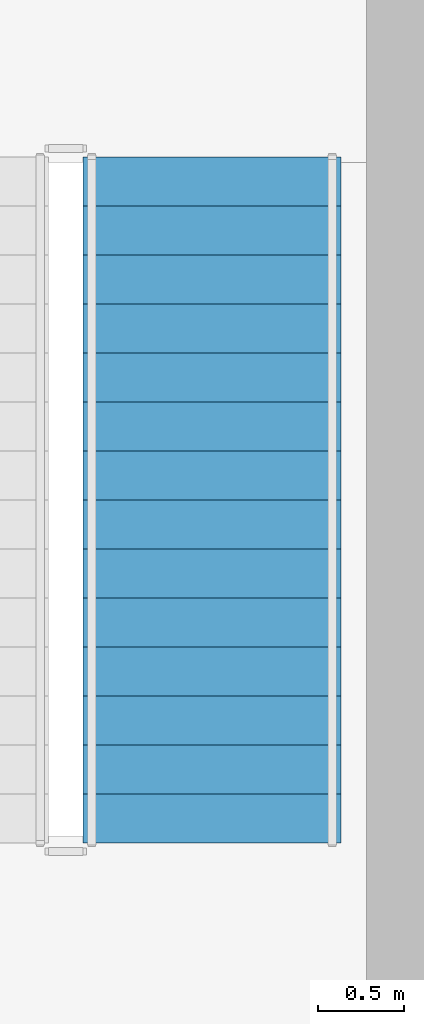
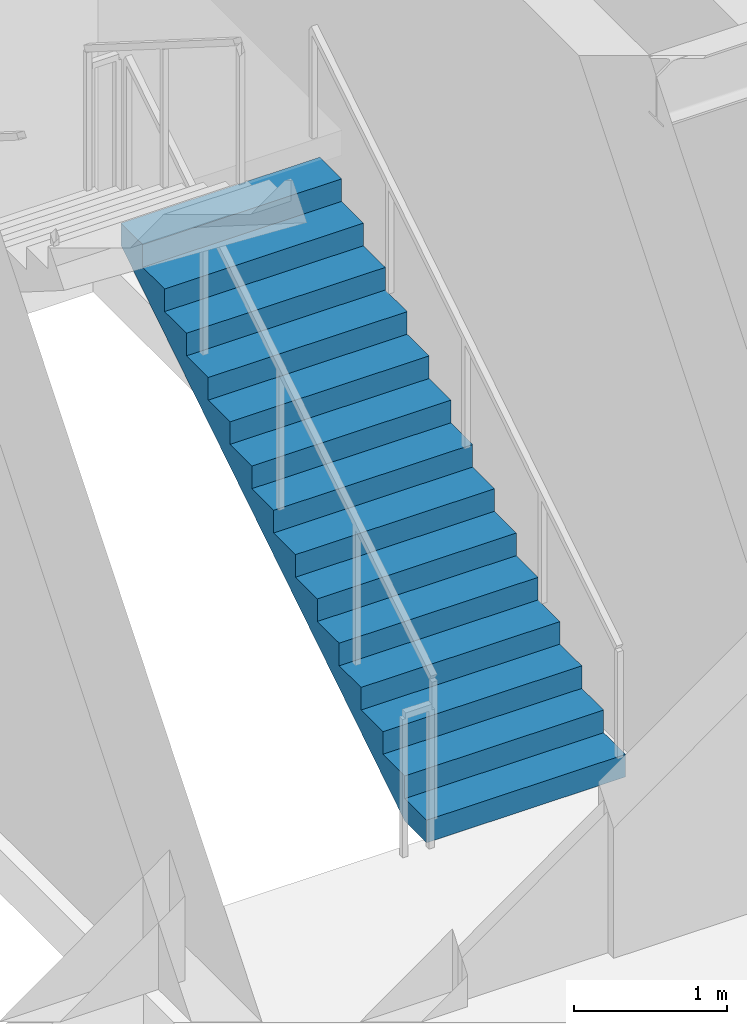
# One storey, part 6 of 7: 1 stair flight, 1 element without a shape of its own.
"""IFC4 building model written with IfcOpenShell, lengths in metres."""

from ifc_helpers import new_model, si_unit, direction, frame, origin, place, context, subcontext, project, spatial, polyline, outline, extrude, material, type_object, element, aggregate, save


model = new_model("IFC4")

# Units and contexts
model_context = context("Model", 3, precision=1e-05, world=origin(), true_north=direction((0.0, 1.0)))
body_context = subcontext(model_context, "Body", "Model", "MODEL_VIEW")
ifc_project = project(units=[si_unit("LENGTHUNIT", "METRE"), si_unit("AREAUNIT", "SQUARE_METRE"), si_unit("VOLUMEUNIT", "CUBIC_METRE"), si_unit("PLANEANGLEUNIT", "RADIAN"), si_unit("MASSUNIT", "GRAM", prefix="KILO")], contexts=[model_context])

# Site, building, storey
site_placement = place(None, origin())
site = spatial("IfcSite", under=ifc_project, at=site_placement, CompositionType="ELEMENT")
building_placement = place(site_placement, origin())
building = spatial("IfcBuilding", under=site, at=building_placement, Name="Sarneth Arch Tower", CompositionType="ELEMENT")
storey_placement = place(building_placement, frame((0.0, 0.0, 256.800048828125)))
storey = spatial("IfcBuildingStorey", under=building, at=storey_placement, Name="L66", CompositionType="ELEMENT", Elevation=256.800048828125)

# Stair, stair flight
ifc_material_1 = material(Name="Concrete C50/60", Category="concrete")
stair_type = type_object("IfcStairType", Name="STAIR-CORE-RC", PredefinedType="HALF_TURN_STAIR", material=ifc_material_1)
stair_placement = place(storey_placement, origin())
stair = element("IfcStair", 1, at=stair_placement, inside=storey, type_object=stair_type, Name="L66 Core Exit Stair 2", PredefinedType="HALF_TURN_STAIR")
ifc_material_2 = material(Name="Concrete C50/60", Category="concrete")
stair_flight_type = type_object("IfcStairFlightType", Name="FLIGHT-RC-1500", PredefinedType="STRAIGHT", material=ifc_material_2)
stair_flight_placement = place(storey_placement, frame((57.89990234375, 41.449951171875, 0.0), z_axis=(0.0, 0.0, 1.0), x_axis=(0.0, 1.0, 0.0)))
stair_flight = element("IfcStairFlight", 2, at=stair_flight_placement, type_object=stair_flight_type, Name="ST-2 flight 1", NumberOfRisers=15, NumberOfTreads=14, PredefinedType="STRAIGHT", RiserHeight=0.18, TreadLength=0.285, context=body_context, shape_type="SweptSolid", body=[
    extrude(outline(polyline([(0.0, 0.0), (0.0, 0.179931640625), (0.284912109375, 0.179931640625), (0.284912109375, 0.360107421875), (0.570068359375, 0.360107421875), (0.570068359375, 0.5400390625), (0.85498046875, 0.5400390625), (0.85498046875, 0.719970703125), (1.139892578125, 0.719970703125), (1.139892578125, 0.89990234375), (1.425048828125, 0.89990234375), (1.425048828125, 1.080078125), (1.7099609375, 1.080078125), (1.7099609375, 1.260009765625), (1.9951171875, 1.260009765625), (1.9951171875, 1.43994140625), (2.280029296875, 1.43994140625), (2.280029296875, 1.6201171875), (2.56494140625, 1.6201171875), (2.56494140625, 1.800048828125), (2.85009765625, 1.800048828125), (2.85009765625, 1.97998046875), (3.135009765625, 1.97998046875), (3.135009765625, 2.159912109375), (3.419921875, 2.159912109375), (3.419921875, 2.340087890625), (3.705078125, 2.340087890625), (3.705078125, 2.52001953125), (3.989990234375, 2.52001953125), (3.989990234375, 2.699951171875), (3.989990234375, 2.3427734375), (0.28076171875, 0.0), (0.0, 0.0)])), frame((0.0, 0.75, 0.0), z_axis=(0.0, -1.0, 0.0), x_axis=(1.0, 0.0, 0.0)), (0.0, 0.0, 1.0), 1.5),
])
aggregate(stair, [stair_flight])

save(model, "model.ifc")
